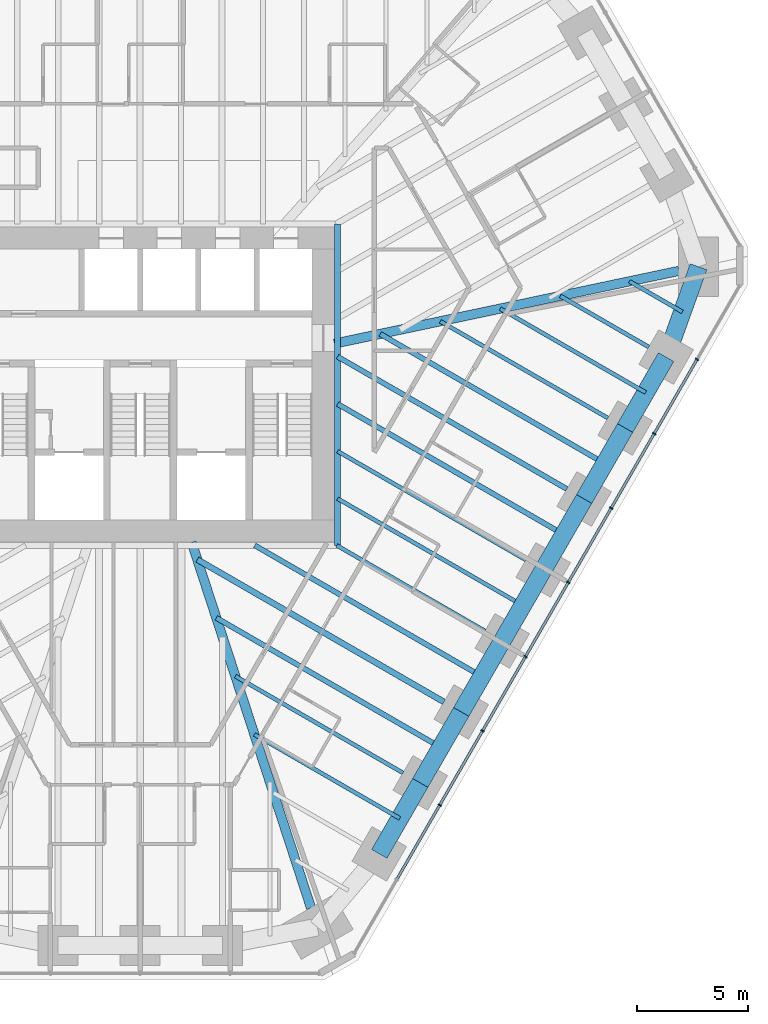
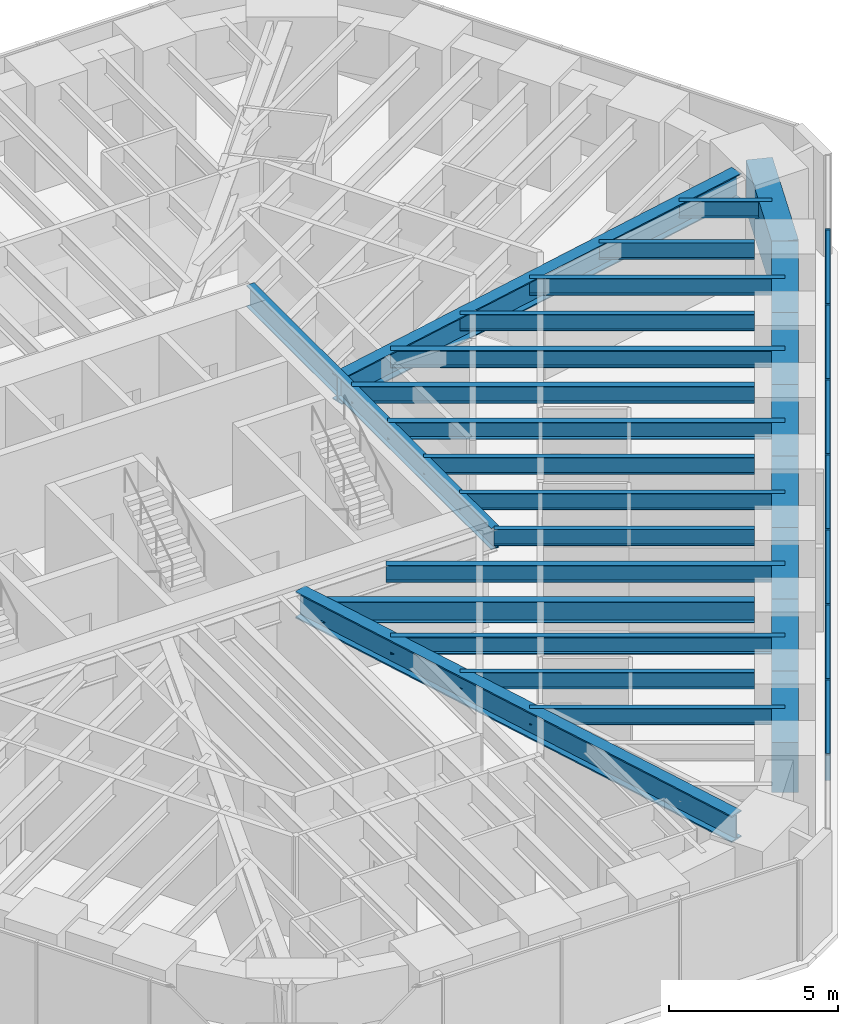
# One storey, part 5 of 16: 26 beams, 14 members, 1 element without a shape of its own.
"""IFC4 building model written with IfcOpenShell, lengths in metres."""

from ifc_helpers import new_model, si_unit, direction, frame, origin, origin_2d, place, context, subcontext, project, spatial, rectangle, i_section, extrude, material, material_profile, profile_set, type_object, element, aggregate, save


model = new_model("IFC4")

# Units and contexts
model_context = context("Model", 3, precision=1e-05, world=origin(), true_north=direction((0.0, 1.0)))
body_context = subcontext(model_context, "Body", "Model", "MODEL_VIEW")
ifc_project = project(units=[si_unit("LENGTHUNIT", "METRE"), si_unit("AREAUNIT", "SQUARE_METRE"), si_unit("VOLUMEUNIT", "CUBIC_METRE"), si_unit("PLANEANGLEUNIT", "RADIAN"), si_unit("MASSUNIT", "GRAM", prefix="KILO")], contexts=[model_context])

# Site, building, storey
site_placement = place(None, origin())
site = spatial("IfcSite", under=ifc_project, at=site_placement, CompositionType="ELEMENT")
building_placement = place(site_placement, origin())
building = spatial("IfcBuilding", under=site, at=building_placement, Name="Sandreach Pilgrim Tower", CompositionType="ELEMENT")
storey_placement = place(building_placement, frame((0.0, 0.0, 183.199951171875)))
storey = spatial("IfcBuildingStorey", under=building, at=storey_placement, Name="L45", CompositionType="ELEMENT", Elevation=183.199951171875)

# Curtain wall, members
ifc_material_1 = material(Name="Aluminium framed curtain wall", Category="aluminium")
curtain_wall_type = type_object("IfcCurtainWallType", Name="Upper hotel tower curtain wall", PredefinedType="NOTDEFINED", material=ifc_material_1)
curtain_wall_placement = place(storey_placement, origin())
curtain_wall = element("IfcCurtainWall", 1, at=curtain_wall_placement, inside=storey, type_object=curtain_wall_type, Name="CW-3 L45 SE", PredefinedType="NOTDEFINED")
ifc_material_2 = material(Name="Aluminium extrusion", Category="aluminium")
ifc_material_profile_1 = material_profile(ifc_material_2, rectangle(XDim=0.06494140625, YDim=0.159912109375, at=origin_2d()), Name="CW-3M 65X160")
ifc_profile_set_1 = profile_set([ifc_material_profile_1], Name="Aluminium extrusion")
member_type_1 = type_object("IfcMemberType", Name="CW-3 mullion", PredefinedType="MULLION", material=ifc_profile_set_1)
member_1_placement = place(storey_placement, frame((25.087890625, 1.13330078125, 0.0), z_axis=(0.0, 0.0, 1.0), x_axis=(-0.5, -0.866025403784, 0.0)))
member_1 = element("IfcMember", 2, at=member_1_placement, type_object=member_type_1, Name="CW-3 mullion 2", PredefinedType="MULLION", context=body_context, shape_type="SweptSolid", body=[
    extrude(rectangle(XDim=0.06494140625, YDim=0.159912109375, at=origin_2d()), origin(), (0.0, 0.0, 1.0), 3.64013671875),
])
member_2_placement = place(storey_placement, frame((23.15576171875, -2.21337890625, 0.0), z_axis=(0.0, 0.0, 1.0), x_axis=(-0.5, -0.866025403784, 0.0)))
member_2 = element("IfcMember", 3, at=member_2_placement, type_object=member_type_1, Name="CW-3 mullion 3", PredefinedType="MULLION", context=body_context, shape_type="SweptSolid", body=[
    extrude(rectangle(XDim=0.06494140625, YDim=0.159912109375, at=origin_2d()), origin(), (0.0, 0.0, 1.0), 3.64013671875),
])
member_3_placement = place(storey_placement, frame((21.223388671875, -5.56005859375, 0.0), z_axis=(0.0, 0.0, 1.0), x_axis=(-0.5, -0.866025403784, 0.0)))
member_3 = element("IfcMember", 4, at=member_3_placement, type_object=member_type_1, Name="CW-3 mullion 4", PredefinedType="MULLION", context=body_context, shape_type="SweptSolid", body=[
    extrude(rectangle(XDim=0.06494140625, YDim=0.159912109375, at=origin_2d()), origin(), (0.0, 0.0, 1.0), 3.64013671875),
])
member_4_placement = place(storey_placement, frame((19.291259765625, -8.90673828125, 0.0), z_axis=(0.0, 0.0, 1.0), x_axis=(-0.5, -0.866025403784, 0.0)))
member_4 = element("IfcMember", 5, at=member_4_placement, type_object=member_type_1, Name="CW-3 mullion 5", PredefinedType="MULLION", context=body_context, shape_type="SweptSolid", body=[
    extrude(rectangle(XDim=0.06494140625, YDim=0.159912109375, at=origin_2d()), origin(), (0.0, 0.0, 1.0), 3.64013671875),
])
member_5_placement = place(storey_placement, frame((17.359130859375, -12.25341796875, 0.0), z_axis=(0.0, 0.0, 1.0), x_axis=(-0.5, -0.866025403784, 0.0)))
member_5 = element("IfcMember", 6, at=member_5_placement, type_object=member_type_1, Name="CW-3 mullion 6", PredefinedType="MULLION", context=body_context, shape_type="SweptSolid", body=[
    extrude(rectangle(XDim=0.06494140625, YDim=0.159912109375, at=origin_2d()), origin(), (0.0, 0.0, 1.0), 3.64013671875),
])
member_6_placement = place(storey_placement, frame((15.4267578125, -15.60009765625, 0.0), z_axis=(0.0, 0.0, 1.0), x_axis=(-0.5, -0.866025403784, 0.0)))
member_6 = element("IfcMember", 7, at=member_6_placement, type_object=member_type_1, Name="CW-3 mullion 7", PredefinedType="MULLION", context=body_context, shape_type="SweptSolid", body=[
    extrude(rectangle(XDim=0.06494140625, YDim=0.159912109375, at=origin_2d()), origin(), (0.0, 0.0, 1.0), 3.64013671875),
])
member_7_placement = place(storey_placement, frame((13.49462890625, -18.94677734375, 0.0), z_axis=(0.0, 0.0, 1.0), x_axis=(-0.5, -0.866025403784, 0.0)))
member_7 = element("IfcMember", 8, at=member_7_placement, type_object=member_type_1, Name="CW-3 mullion 8", PredefinedType="MULLION", context=body_context, shape_type="SweptSolid", body=[
    extrude(rectangle(XDim=0.06494140625, YDim=0.159912109375, at=origin_2d()), origin(), (0.0, 0.0, 1.0), 3.64013671875),
])
ifc_material_3 = material(Name="Aluminium extrusion", Category="aluminium")
ifc_material_profile_2 = material_profile(ifc_material_3, rectangle(XDim=0.1201171875, YDim=0.070068359375, at=origin_2d()), Name="CW-3T 120X70")
ifc_profile_set_2 = profile_set([ifc_material_profile_2], Name="Aluminium extrusion")
member_type_2 = type_object("IfcMemberType", Name="CW-3 transom", PredefinedType="USERDEFINED", material=ifc_profile_set_2)
member_8_placement = place(storey_placement, frame((25.07177734375, 1.105224609375, 3.60498046875), z_axis=(-0.500022797313, -0.86601224135, 0.0), x_axis=(0.86601224135, -0.500022797313, 0.0)))
member_8 = element("IfcMember", 9, at=member_8_placement, type_object=member_type_2, Name="CW-3 head transom 2", ObjectType="TRANSOM", PredefinedType="USERDEFINED", context=body_context, shape_type="SweptSolid", body=[
    extrude(rectangle(XDim=0.1201171875, YDim=0.070068359375, at=origin_2d()), origin(), (0.0, 0.0, 1.0), 3.799560546875),
])
member_9_placement = place(storey_placement, frame((23.139404296875, -2.241455078125, 3.60498046875), z_axis=(-0.499974606132, -0.866040064445, 0.0), x_axis=(0.866040064445, -0.499974606132, 0.0)))
member_9 = element("IfcMember", 10, at=member_9_placement, type_object=member_type_2, Name="CW-3 head transom 3", ObjectType="TRANSOM", PredefinedType="USERDEFINED", context=body_context, shape_type="SweptSolid", body=[
    extrude(rectangle(XDim=0.1201171875, YDim=0.070068359375, at=origin_2d()), origin(), (0.0, 0.0, 1.0), 3.799560546875),
])
member_10_placement = place(storey_placement, frame((21.207275390625, -5.588134765625, 3.60498046875), z_axis=(-0.499974606132, -0.866040064445, 0.0), x_axis=(0.866040064445, -0.499974606132, 0.0)))
member_10 = element("IfcMember", 11, at=member_10_placement, type_object=member_type_2, Name="CW-3 head transom 4", ObjectType="TRANSOM", PredefinedType="USERDEFINED", context=body_context, shape_type="SweptSolid", body=[
    extrude(rectangle(XDim=0.1201171875, YDim=0.070068359375, at=origin_2d()), origin(), (0.0, 0.0, 1.0), 3.799560546875),
])
member_11_placement = place(storey_placement, frame((19.275146484375, -8.934814453125, 3.60498046875), z_axis=(-0.500022797313, -0.86601224135, 0.0), x_axis=(0.86601224135, -0.500022797313, 0.0)))
member_11 = element("IfcMember", 12, at=member_11_placement, type_object=member_type_2, Name="CW-3 head transom 5", ObjectType="TRANSOM", PredefinedType="USERDEFINED", context=body_context, shape_type="SweptSolid", body=[
    extrude(rectangle(XDim=0.1201171875, YDim=0.070068359375, at=origin_2d()), origin(), (0.0, 0.0, 1.0), 3.799560546875),
])
member_12_placement = place(storey_placement, frame((17.3427734375, -12.281494140625, 3.60498046875), z_axis=(-0.499974606132, -0.866040064445, 0.0), x_axis=(0.866040064445, -0.499974606132, 0.0)))
member_12 = element("IfcMember", 13, at=member_12_placement, type_object=member_type_2, Name="CW-3 head transom 6", ObjectType="TRANSOM", PredefinedType="USERDEFINED", context=body_context, shape_type="SweptSolid", body=[
    extrude(rectangle(XDim=0.1201171875, YDim=0.070068359375, at=origin_2d()), origin(), (0.0, 0.0, 1.0), 3.799560546875),
])
member_13_placement = place(storey_placement, frame((15.41064453125, -15.628173828125, 3.60498046875), z_axis=(-0.499974606132, -0.866040064445, 0.0), x_axis=(0.866040064445, -0.499974606132, 0.0)))
member_13 = element("IfcMember", 14, at=member_13_placement, type_object=member_type_2, Name="CW-3 head transom 7", ObjectType="TRANSOM", PredefinedType="USERDEFINED", context=body_context, shape_type="SweptSolid", body=[
    extrude(rectangle(XDim=0.1201171875, YDim=0.070068359375, at=origin_2d()), origin(), (0.0, 0.0, 1.0), 3.799560546875),
])
member_14_placement = place(storey_placement, frame((13.478515625, -18.974853515625, 3.60498046875), z_axis=(-0.500022797313, -0.86601224135, 0.0), x_axis=(0.86601224135, -0.500022797313, 0.0)))
member_14 = element("IfcMember", 15, at=member_14_placement, type_object=member_type_2, Name="CW-3 head transom 8", ObjectType="TRANSOM", PredefinedType="USERDEFINED", context=body_context, shape_type="SweptSolid", body=[
    extrude(rectangle(XDim=0.1201171875, YDim=0.070068359375, at=origin_2d()), origin(), (0.0, 0.0, 1.0), 3.799560546875),
])
aggregate(curtain_wall, [member_1, member_2, member_3, member_4, member_5, member_6, member_7, member_8, member_9, member_10, member_11, member_12, member_13, member_14])

# Beams
ifc_material_4 = material(Name="Steel ASTM A992 Grade 50", Category="steel")
ifc_material_profile_3 = material_profile(ifc_material_4, i_section(OverallWidth=0.2666015625, OverallDepth=0.77978515625, WebThickness=0.0166015625, FlangeThickness=0.030029296875, at=origin_2d()), Name="W30X148")
ifc_profile_set_3 = profile_set([ifc_material_profile_3], Name="Steel ASTM A992 Grade 50")
beam_type_1 = type_object("IfcBeamType", Name="Core edge beam W30X148", PredefinedType="BEAM", material=ifc_profile_set_3)
beam_1_placement = place(storey_placement, frame((8.893310546875, 7.243408203125, 3.250244140625), z_axis=(0.0, -1.0, 0.0), x_axis=(1.0, 0.0, 0.0)))
element("IfcBeam", 16, at=beam_1_placement, inside=storey, type_object=beam_type_1, Name="BM L45 CEE", PredefinedType="BEAM", context=body_context, shape_type="SweptSolid", body=[
    extrude(i_section(OverallWidth=0.2666015625, OverallDepth=0.77978515625, WebThickness=0.0166015625, FlangeThickness=0.030029296875, at=origin_2d()), origin(), (0.0, 0.0, 1.0), 14.48681640625),
])
ifc_material_5 = material(Name="Steel ASTM A992 Grade 50", Category="steel")
ifc_material_profile_4 = material_profile(ifc_material_5, i_section(OverallWidth=0.421630859375, OverallDepth=0.937255859375, WebThickness=0.0224609375, FlangeThickness=0.039794921875, at=origin_2d()), Name="W36X282")
ifc_profile_set_4 = profile_set([ifc_material_profile_4], Name="Steel ASTM A992 Grade 50")
beam_type_2 = type_object("IfcBeamType", Name="Corner girder W36X282", PredefinedType="BEAM", material=ifc_profile_set_4)
beam_2_placement = place(storey_placement, frame((24.27587890625, 5.12548828125, 3.17138671875), z_axis=(-0.978429308752, -0.206581915411, 0.0), x_axis=(0.206581915411, -0.978429308752, 0.0)))
element("IfcBeam", 17, at=beam_2_placement, inside=storey, type_object=beam_type_2, Name="BM L45 CG13", PredefinedType="BEAM", context=body_context, shape_type="SweptSolid", body=[
    extrude(i_section(OverallWidth=0.421630859375, OverallDepth=0.937255859375, WebThickness=0.0224609375, FlangeThickness=0.039794921875, at=origin_2d()), origin(), (0.0, 0.0, 1.0), 15.8681640625),
])
ifc_material_6 = material(Name="Steel ASTM A992 Grade 50", Category="steel")
ifc_material_profile_5 = material_profile(ifc_material_6, i_section(OverallWidth=0.421630859375, OverallDepth=0.95751953125, WebThickness=0.02587890625, FlangeThickness=0.046875, at=origin_2d()), Name="W36X330")
ifc_profile_set_5 = profile_set([ifc_material_profile_5], Name="Steel ASTM A992 Grade 50")
beam_type_3 = type_object("IfcBeamType", Name="Corner girder W36X330", PredefinedType="BEAM", material=ifc_profile_set_5)
beam_3_placement = place(storey_placement, frame((7.69921875, -23.58642578125, 3.161376953125), z_axis=(-0.310313250761, 0.950634359995, 0.0), x_axis=(-0.950634359995, -0.310313250761, 0.0)))
element("IfcBeam", 18, at=beam_3_placement, inside=storey, type_object=beam_type_3, Name="BM L45 CG22", PredefinedType="BEAM", context=body_context, shape_type="SweptSolid", body=[
    extrude(i_section(OverallWidth=0.421630859375, OverallDepth=0.95751953125, WebThickness=0.02587890625, FlangeThickness=0.046875, at=origin_2d()), origin(), (0.0, 0.0, 1.0), 17.342529296875),
])
ifc_material_7 = material(Name="Steel ASTM A992 Grade 50", Category="steel")
ifc_material_profile_6 = material_profile(ifc_material_7, i_section(OverallWidth=0.1787109375, OverallDepth=0.60205078125, WebThickness=0.010986328125, FlangeThickness=0.014892578125, at=origin_2d()), Name="W24X62")
ifc_profile_set_6 = profile_set([ifc_material_profile_6], Name="Steel ASTM A992 Grade 50")
beam_type_4 = type_object("IfcBeamType", Name="Floor beam W24X62", PredefinedType="BEAM", material=ifc_profile_set_6)
beam_4_placement = place(storey_placement, frame((22.91650390625, 1.692138671875, 3.339111328125), z_axis=(-0.866030286288, 0.49999154316, 0.0), x_axis=(-0.49999154316, -0.866030286288, 0.0)))
element("IfcBeam", 19, at=beam_4_placement, inside=storey, type_object=beam_type_4, Name="BM L45 F14", PredefinedType="BEAM", context=body_context, shape_type="SweptSolid", body=[
    extrude(i_section(OverallWidth=0.1787109375, OverallDepth=0.60205078125, WebThickness=0.010986328125, FlangeThickness=0.014892578125, at=origin_2d()), origin(), (0.0, 0.0, 1.0), 4.607421875),
])
beam_5_placement = place(storey_placement, frame((21.070068359375, -1.505615234375, 3.339111328125), z_axis=(-0.866018660621, 0.50001167932, 0.0), x_axis=(-0.50001167932, -0.866018660621, 0.0)))
element("IfcBeam", 20, at=beam_5_placement, inside=storey, type_object=beam_type_4, Name="BM L45 F15", PredefinedType="BEAM", context=body_context, shape_type="SweptSolid", body=[
    extrude(i_section(OverallWidth=0.1787109375, OverallDepth=0.60205078125, WebThickness=0.010986328125, FlangeThickness=0.014892578125, at=origin_2d()), origin(), (0.0, 0.0, 1.0), 8.719482421875),
])
beam_6_placement = place(storey_placement, frame((17.377685546875, -7.901123046875, 3.339111328125), z_axis=(-0.866026229868, 0.499998569178, 0.0), x_axis=(-0.499998569178, -0.866026229868, 0.0)))
element("IfcBeam", 21, at=beam_6_placement, inside=storey, type_object=beam_type_4, Name="BM L45 F17", PredefinedType="BEAM", context=body_context, shape_type="SweptSolid", body=[
    extrude(i_section(OverallWidth=0.1787109375, OverallDepth=0.60205078125, WebThickness=0.010986328125, FlangeThickness=0.014892578125, at=origin_2d()), origin(), (0.0, 0.0, 1.0), 9.796875),
])
beam_7_placement = place(storey_placement, frame((15.531494140625, -11.098876953125, 3.339111328125), z_axis=(-0.866036909293, 0.499980071345, 0.0), x_axis=(-0.499980071345, -0.866036909293, 0.0)))
element("IfcBeam", 22, at=beam_7_placement, inside=storey, type_object=beam_type_4, Name="BM L45 F18", PredefinedType="BEAM", context=body_context, shape_type="SweptSolid", body=[
    extrude(i_section(OverallWidth=0.1787109375, OverallDepth=0.60205078125, WebThickness=0.010986328125, FlangeThickness=0.014892578125, at=origin_2d()), origin(), (0.0, 0.0, 1.0), 7.711181640625),
])
beam_8_placement = place(storey_placement, frame((11.8388671875, -17.49462890625, 3.339111328125), z_axis=(-0.866018660621, 0.50001167932, 0.0), x_axis=(-0.50001167932, -0.866018660621, 0.0)))
element("IfcBeam", 23, at=beam_8_placement, inside=storey, type_object=beam_type_4, Name="BM L45 F20", PredefinedType="BEAM", context=body_context, shape_type="SweptSolid", body=[
    extrude(i_section(OverallWidth=0.1787109375, OverallDepth=0.60205078125, WebThickness=0.010986328125, FlangeThickness=0.014892578125, at=origin_2d()), origin(), (0.0, 0.0, 1.0), 8.719482421875),
])
beam_9_placement = place(storey_placement, frame((24.42626953125, 3.27685546875, 3.339111328125), z_axis=(-0.866046803606, 0.49996293259, 0.0), x_axis=(-0.49996293259, -0.866046803606, 0.0)))
element("IfcBeam", 24, at=beam_9_placement, inside=storey, type_object=beam_type_4, Name="BM L45 FM13", PredefinedType="BEAM", context=body_context, shape_type="SweptSolid", body=[
    extrude(i_section(OverallWidth=0.1787109375, OverallDepth=0.60205078125, WebThickness=0.010986328125, FlangeThickness=0.014892578125, at=origin_2d()), origin(), (0.0, 0.0, 1.0), 2.753662109375),
])
beam_10_placement = place(storey_placement, frame((22.772705078125, -0.356689453125, 3.339111328125), z_axis=(-0.866029704776, 0.49999255039, 0.0), x_axis=(-0.49999255039, -0.866029704776, 0.0)))
element("IfcBeam", 25, at=beam_10_placement, inside=storey, type_object=beam_type_4, Name="BM L45 FM14", PredefinedType="BEAM", context=body_context, shape_type="SweptSolid", body=[
    extrude(i_section(OverallWidth=0.1787109375, OverallDepth=0.60205078125, WebThickness=0.010986328125, FlangeThickness=0.014892578125, at=origin_2d()), origin(), (0.0, 0.0, 1.0), 7.5634765625),
])
beam_11_placement = place(storey_placement, frame((17.23388671875, -9.949951171875, 3.339111328125), z_axis=(-0.866025593094, 0.499999672107, 0.0), x_axis=(-0.499999672107, -0.866025593094, 0.0)))
element("IfcBeam", 26, at=beam_11_placement, inside=storey, type_object=beam_type_4, Name="BM L45 FM17", PredefinedType="BEAM", context=body_context, shape_type="SweptSolid", body=[
    extrude(i_section(OverallWidth=0.1787109375, OverallDepth=0.60205078125, WebThickness=0.010986328125, FlangeThickness=0.014892578125, at=origin_2d()), origin(), (0.0, 0.0, 1.0), 9.630859375),
])
beam_12_placement = place(storey_placement, frame((11.6953125, -19.54345703125, 3.339111328125), z_axis=(-0.866029704776, 0.49999255039, 0.0), x_axis=(-0.49999255039, -0.866029704776, 0.0)))
element("IfcBeam", 27, at=beam_12_placement, inside=storey, type_object=beam_type_4, Name="BM L45 FM20", PredefinedType="BEAM", context=body_context, shape_type="SweptSolid", body=[
    extrude(i_section(OverallWidth=0.1787109375, OverallDepth=0.60205078125, WebThickness=0.010986328125, FlangeThickness=0.014892578125, at=origin_2d()), origin(), (0.0, 0.0, 1.0), 7.5634765625),
])
ifc_material_8 = material(Name="Steel ASTM A992 Grade 50", Category="steel")
ifc_material_profile_7 = material_profile(ifc_material_8, i_section(OverallWidth=0.23046875, OverallDepth=0.6171875, WebThickness=0.01318359375, FlangeThickness=0.022216796875, at=origin_2d()), Name="W24X94")
ifc_profile_set_7 = profile_set([ifc_material_profile_7], Name="Steel ASTM A992 Grade 50")
beam_type_5 = type_object("IfcBeamType", Name="Floor beam W24X94", PredefinedType="BEAM", material=ifc_profile_set_7)
beam_13_placement = place(storey_placement, frame((19.223876953125, -4.703369140625, 3.33154296875), z_axis=(-0.866025397497, 0.500000010891, 0.0), x_axis=(-0.500000010891, -0.866025397497, 0.0)))
element("IfcBeam", 28, at=beam_13_placement, inside=storey, type_object=beam_type_5, Name="BM L45 F16", PredefinedType="BEAM", context=body_context, shape_type="SweptSolid", body=[
    extrude(i_section(OverallWidth=0.23046875, OverallDepth=0.6171875, WebThickness=0.01318359375, FlangeThickness=0.022216796875, at=origin_2d()), origin(), (0.0, 0.0, 1.0), 11.9287109375),
])
beam_14_placement = place(storey_placement, frame((20.926513671875, -3.554443359375, 3.33154296875), z_axis=(-0.866026454974, 0.499998179282, 0.0), x_axis=(-0.499998179282, -0.866026454974, 0.0)))
element("IfcBeam", 29, at=beam_14_placement, inside=storey, type_object=beam_type_5, Name="BM L45 FM15", PredefinedType="BEAM", context=body_context, shape_type="SweptSolid", body=[
    extrude(i_section(OverallWidth=0.23046875, OverallDepth=0.6171875, WebThickness=0.01318359375, FlangeThickness=0.022216796875, at=origin_2d()), origin(), (0.0, 0.0, 1.0), 11.67578125),
])
beam_15_placement = place(storey_placement, frame((19.080322265625, -6.752197265625, 3.33154296875), z_axis=(-0.866030053141, 0.499991946992, 0.0), x_axis=(-0.499991946992, -0.866030053141, 0.0)))
element("IfcBeam", 30, at=beam_15_placement, inside=storey, type_object=beam_type_5, Name="BM L45 FM16", PredefinedType="BEAM", context=body_context, shape_type="SweptSolid", body=[
    extrude(i_section(OverallWidth=0.23046875, OverallDepth=0.6171875, WebThickness=0.01318359375, FlangeThickness=0.022216796875, at=origin_2d()), origin(), (0.0, 0.0, 1.0), 11.762939453125),
])
beam_16_placement = place(storey_placement, frame((15.3876953125, -13.14794921875, 3.33154296875), z_axis=(-0.866022050506, 0.500005808004, 0.0), x_axis=(-0.500005808004, -0.866022050506, 0.0)))
element("IfcBeam", 31, at=beam_16_placement, inside=storey, type_object=beam_type_5, Name="BM L45 FM18", PredefinedType="BEAM", context=body_context, shape_type="SweptSolid", body=[
    extrude(i_section(OverallWidth=0.23046875, OverallDepth=0.6171875, WebThickness=0.01318359375, FlangeThickness=0.022216796875, at=origin_2d()), origin(), (0.0, 0.0, 1.0), 11.808837890625),
])
beam_17_placement = place(storey_placement, frame((13.54150390625, -16.345703125, 3.33154296875), z_axis=(-0.866026454974, 0.499998179282, 0.0), x_axis=(-0.499998179282, -0.866026454974, 0.0)))
element("IfcBeam", 32, at=beam_17_placement, inside=storey, type_object=beam_type_5, Name="BM L45 FM19", PredefinedType="BEAM", context=body_context, shape_type="SweptSolid", body=[
    extrude(i_section(OverallWidth=0.23046875, OverallDepth=0.6171875, WebThickness=0.01318359375, FlangeThickness=0.022216796875, at=origin_2d()), origin(), (0.0, 0.0, 1.0), 11.67578125),
])
ifc_material_9 = material(Name="Steel ASTM A992 Grade 50", Category="steel")
ifc_material_profile_8 = material_profile(ifc_material_9, i_section(OverallWidth=0.2666015625, OverallDepth=0.761962890625, WebThickness=0.014404296875, FlangeThickness=0.021484375, at=origin_2d()), Name="W30X116")
ifc_profile_set_8 = profile_set([ifc_material_profile_8], Name="Steel ASTM A992 Grade 50")
beam_type_6 = type_object("IfcBeamType", Name="Floor beam W30X116", PredefinedType="BEAM", material=ifc_profile_set_8)
beam_18_placement = place(storey_placement, frame((13.685302734375, -14.296630859375, 3.259033203125), z_axis=(-0.866032238029, 0.499988162555, 0.0), x_axis=(-0.499988162555, -0.866032238029, 0.0)))
element("IfcBeam", 33, at=beam_18_placement, inside=storey, type_object=beam_type_6, Name="BM L45 F19", PredefinedType="BEAM", context=body_context, shape_type="SweptSolid", body=[
    extrude(i_section(OverallWidth=0.2666015625, OverallDepth=0.761962890625, WebThickness=0.014404296875, FlangeThickness=0.021484375, at=origin_2d()), origin(), (0.0, 0.0, 1.0), 12.831787109375),
])
ifc_material_10 = material(Name="Concrete 10000 psi", Category="concrete")
ifc_material_profile_9 = material_profile(ifc_material_10, rectangle(XDim=0.800048828125, YDim=1.800048828125, at=origin_2d()), Name="RC800X1800")
ifc_profile_set_9 = profile_set([ifc_material_profile_9], Name="Concrete 10000 psi")
beam_type_7 = type_object("IfcBeamType", Name="Spandrel beam RC800X1800", PredefinedType="SPANDREL", material=ifc_profile_set_9)
beam_19_placement = place(storey_placement, frame((25.156494140625, 5.311279296875, 2.739990234375), z_axis=(-0.337863470932, -0.941195131208, 0.0), x_axis=(0.941195131208, -0.337863470932, 0.0)))
element("IfcBeam", 34, at=beam_19_placement, inside=storey, type_object=beam_type_7, Name="BM L45 SP13", PredefinedType="SPANDREL", context=body_context, shape_type="SweptSolid", body=[
    extrude(rectangle(XDim=0.800048828125, YDim=1.800048828125, at=origin_2d()), origin(), (0.0, 0.0, 1.0), 4.3232421875),
])
for number, where, z_axis, x_axis, name in (
    (35, (23.69580078125, 1.2421875, 2.739990234375), (-0.499993363642, -0.866029235253, 0.0), (0.866029235253, -0.499993363642, 0.0), "BM L45 SP14"),
    (36, (21.849609375, -1.95556640625, 2.739990234375), (-0.499993363642, -0.866029235253, 0.0), (0.866029235253, -0.499993363642, 0.0), "BM L45 SP15"),
    (37, (20.00341796875, -5.1533203125, 2.739990234375), (-0.499993363642, -0.866029235253, 0.0), (0.866029235253, -0.499993363642, 0.0), "BM L45 SP16"),
):
    element("IfcBeam", number, at=place(storey_placement, frame(where, z_axis=z_axis, x_axis=x_axis)), inside=storey, type_object=beam_type_7, Name=name, PredefinedType="SPANDREL", context=body_context, shape_type="SweptSolid", body=[
        extrude(rectangle(XDim=0.800048828125, YDim=1.800048828125, at=origin_2d()), origin(), (0.0, 0.0, 1.0), 3.6923828125),
    ])
for number, where, z_axis, x_axis, name in (
    (38, (18.1572265625, -8.35107421875, 2.739990234375), (-0.500042951019, -0.866000604582, 0.0), (0.866000604582, -0.500042951019, 0.0), "BM L45 SP17"),
    (39, (16.310791015625, -11.548828125, 2.739990234375), (-0.49996473481, -0.866045763194, 0.0), (0.866045763194, -0.49996473481, 0.0), "BM L45 SP18"),
):
    element("IfcBeam", number, at=place(storey_placement, frame(where, z_axis=z_axis, x_axis=x_axis)), inside=storey, type_object=beam_type_7, Name=name, PredefinedType="SPANDREL", context=body_context, shape_type="SweptSolid", body=[
        extrude(rectangle(XDim=0.800048828125, YDim=1.800048828125, at=origin_2d()), origin(), (0.0, 0.0, 1.0), 3.692626953125),
    ])
for number, where, z_axis, x_axis, name in (
    (40, (14.464599609375, -14.746826171875, 2.739990234375), (-0.499993363642, -0.866029235253, 0.0), (0.866029235253, -0.499993363642, 0.0), "BM L45 SP19"),
    (41, (12.618408203125, -17.944580078125, 2.739990234375), (-0.499993363642, -0.866029235253, 0.0), (0.866029235253, -0.499993363642, 0.0), "BM L45 SP20"),
):
    element("IfcBeam", number, at=place(storey_placement, frame(where, z_axis=z_axis, x_axis=x_axis)), inside=storey, type_object=beam_type_7, Name=name, PredefinedType="SPANDREL", context=body_context, shape_type="SweptSolid", body=[
        extrude(rectangle(XDim=0.800048828125, YDim=1.800048828125, at=origin_2d()), origin(), (0.0, 0.0, 1.0), 3.6923828125),
    ])

save(model, "model.ifc")
